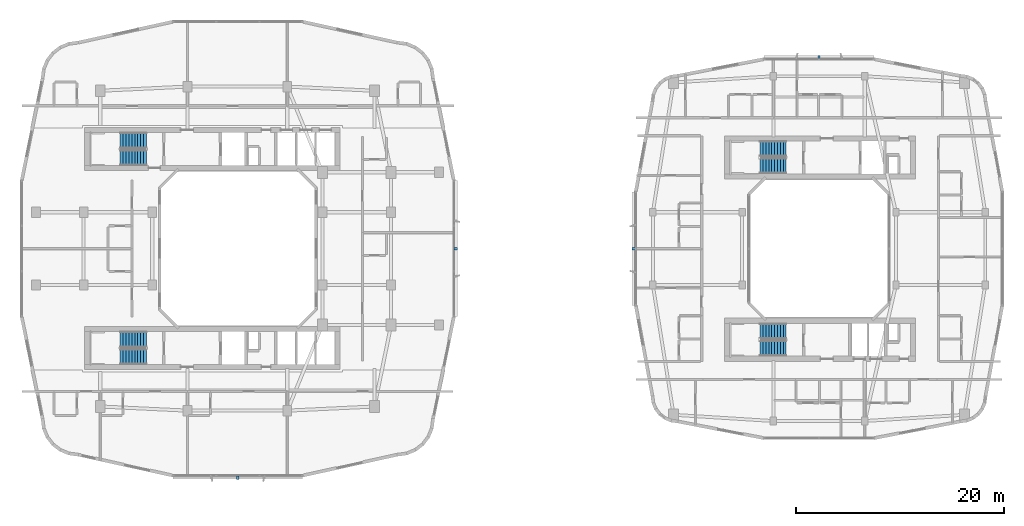
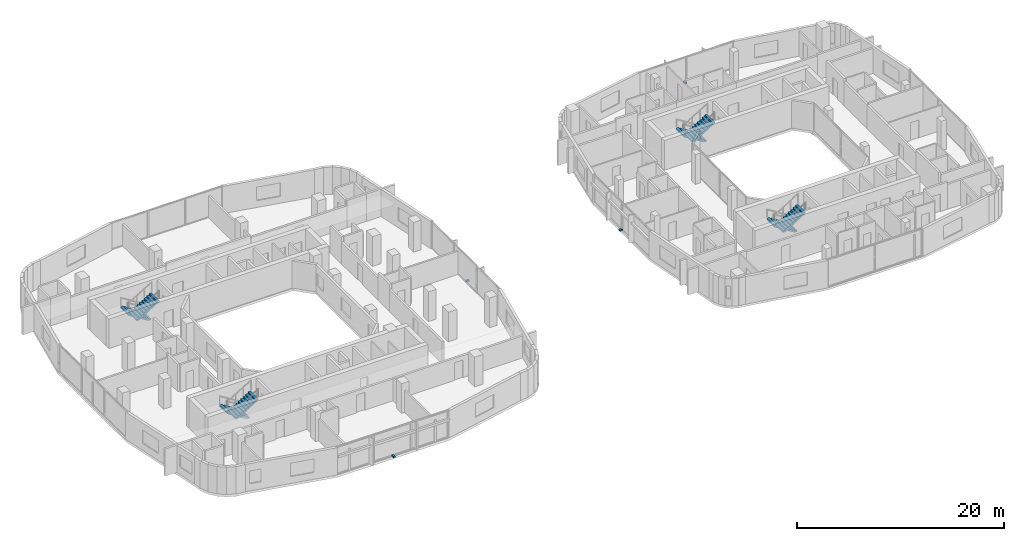
# One storey, part 20 of 25: 8 stair flights, 4 discrete accessories, 4 elements without a shape of their own.
"""IFC4 building model written with IfcOpenShell, lengths in metres."""

import ifcopenshell
import ifcopenshell.guid

model = None  # the IFC model being written
_history = None  # IfcOwnerHistory: only IFC2X3 demands one
_inside = {}  # id of a spatial element -> (the spatial element, [elements in it])
_under = {}  # id of a project, library or spatial element -> (it, [spatial elements below it])
_declared = {}  # id of a project -> (the project, [libraries it declares])
_typed = {}  # id of a type object -> (the type object, [elements of that type])
_made_of = {}  # id of a material, layer set ... -> (it, [elements and type objects made of it])


def new_model(schema):
    """Start an empty IFC model of exactly this schema.

    Asked for "IFC4X3", IfcOpenShell would pick the latest addendum, in which some entities
    have other attributes; the version numbers below select the first issue.
    IFC2X3 requires an IfcOwnerHistory on every rooted entity: one is made here for all.
    """
    global model, _history
    if schema == "IFC4X3":
        model = ifcopenshell.file(schema_version=(4, 3, 0, 0))
    else:
        model = ifcopenshell.file(schema=schema)
    _inside.clear()
    _under.clear()
    _declared.clear()
    _typed.clear()
    _made_of.clear()
    _history = None
    if model.schema == "IFC2X3":
        org = make("IfcOrganization", Name="unknown")
        user = make(
            "IfcPersonAndOrganization",
            ThePerson=make("IfcPerson", FamilyName="unknown"),
            TheOrganization=org,
        )
        app = make(
            "IfcApplication",
            ApplicationDeveloper=org,
            Version="unknown",
            ApplicationFullName="unknown",
            ApplicationIdentifier="unknown",
        )
        _history = make(
            "IfcOwnerHistory",
            OwningUser=user,
            OwningApplication=app,
            ChangeAction="ADDED",
            CreationDate=0,
        )
    return model


def make(cls, **values):
    """One entity of the class cls with the attributes given. An attribute that is None is left unset."""
    return model.create_entity(
        cls, **{name: value for name, value in values.items() if value is not None}
    )


def rooted(cls, **values):
    """An entity with a GlobalId (a new one), such as an element, a storey or a relation."""
    return make(cls, GlobalId=ifcopenshell.guid.new(), OwnerHistory=_history, **values)


def si_unit(unit_type, name, prefix=None):
    """IfcSIUnit, for example si_unit("LENGTHUNIT", "METRE", prefix="MILLI")."""
    return make("IfcSIUnit", UnitType=unit_type, Prefix=prefix, Name=name)


def derived_unit(unit_type, elements):
    """IfcDerivedUnit: a product of units, each with its exponent."""
    return make(
        "IfcDerivedUnit",
        Elements=[
            make("IfcDerivedUnitElement", Unit=unit, Exponent=power)
            for unit, power in elements
        ],
        UnitType=unit_type,
    )


def assignment(units):
    """IfcUnitAssignment: the units of a project."""
    return None if units is None else make("IfcUnitAssignment", Units=units)


def point(xyz):
    """IfcCartesianPoint."""
    return None if xyz is None else make("IfcCartesianPoint", Coordinates=xyz)


def direction(xyz):
    """IfcDirection."""
    return None if xyz is None else make("IfcDirection", DirectionRatios=xyz)


def frame(location, z_axis=None, x_axis=None):
    """IfcAxis2Placement3D, a coordinate frame: its origin and axes. An axis left out is left unset."""
    return make(
        "IfcAxis2Placement3D",
        Location=point(location),
        Axis=direction(z_axis),
        RefDirection=direction(x_axis),
    )


def frame_2d(location, x_axis=None):
    """IfcAxis2Placement2D, a coordinate frame in the plane: its origin and x axis."""
    return make(
        "IfcAxis2Placement2D", Location=point(location), RefDirection=direction(x_axis)
    )


def origin():
    """The frame at (0, 0, 0) with its axes left unset."""
    return frame((0.0, 0.0, 0.0))


def origin_2d():
    """The frame at (0, 0) in the plane with its x axis left unset."""
    return frame_2d((0.0, 0.0))


def place(relative_to, where):
    """IfcLocalPlacement: puts the frame where relative to a parent placement (None: the world)."""
    return make(
        "IfcLocalPlacement", PlacementRelTo=relative_to, RelativePlacement=where
    )


def context(
    kind, dimensions, precision=None, world=None, true_north=None, identifier=None
):
    """IfcGeometricRepresentationContext, for example the 3D "Model" context."""
    return make(
        "IfcGeometricRepresentationContext",
        ContextIdentifier=identifier,
        ContextType=kind,
        CoordinateSpaceDimension=dimensions,
        Precision=precision,
        WorldCoordinateSystem=world,
        TrueNorth=true_north,
    )


def subcontext(parent, identifier, kind, view, scale=None):
    """IfcGeometricRepresentationSubContext, for example "Body" below "Model"."""
    return make(
        "IfcGeometricRepresentationSubContext",
        ContextIdentifier=identifier,
        ContextType=kind,
        ParentContext=parent,
        TargetScale=scale,
        TargetView=view,
    )


def project(units=None, contexts=None):
    """IfcProject with its units and contexts."""
    return rooted(
        "IfcProject",
        Name="project",
        RepresentationContexts=contexts,
        UnitsInContext=assignment(units),
    )


def spatial(cls, under=None, at=None, **own):
    """A site, building, storey or space (cls), placed at a placement, below another one or the project."""
    s = rooted(cls, ObjectPlacement=at, **own)
    if under is not None:
        _under.setdefault(under.id(), (under, []))[1].append(s)
    return s


def polyline(points):
    """IfcPolyline through the points."""
    return make("IfcPolyline", Points=[point(p) for p in points])


def profile(cls, at=None, kind="AREA", **sizes):
    """A parametric profile (cls). Its sizes go by their IFC names, for example OverallWidth=200.0."""
    return make(cls, ProfileType=kind, Position=at, **sizes)


def rectangle(**sizes):
    """IfcRectangleProfileDef."""
    return profile("IfcRectangleProfileDef", **sizes)


def outline(outer, holes=None, kind="AREA"):
    """IfcArbitraryClosedProfileDef: a profile drawn as a closed curve; with holes, ...WithVoids."""
    if holes is None:
        return make("IfcArbitraryClosedProfileDef", ProfileType=kind, OuterCurve=outer)
    return make(
        "IfcArbitraryProfileDefWithVoids",
        ProfileType=kind,
        OuterCurve=outer,
        InnerCurves=holes,
    )


def extrude(swept, where, along, depth):
    """IfcExtrudedAreaSolid: the profile swept, set in the frame where, extruded along a direction by depth."""
    return make(
        "IfcExtrudedAreaSolid",
        SweptArea=swept,
        Position=where,
        ExtrudedDirection=direction(along),
        Depth=depth,
    )


def shape(context_of_items, identifier, shape_type, items):
    """IfcShapeRepresentation: the items that make up one representation, for example the "Body"."""
    return make(
        "IfcShapeRepresentation",
        ContextOfItems=context_of_items,
        RepresentationIdentifier=identifier,
        RepresentationType=shape_type,
        Items=items,
    )


def material(Name=None, Category=None):
    """IfcMaterial."""
    return make("IfcMaterial", Name=Name, Category=Category)


def made_of(thing, what):
    """Note that an element or type object is made of a material, layer set ...; save() writes the relation."""
    if what is not None:
        _made_of.setdefault(what.id(), (what, []))[1].append(thing)
    return thing


def type_object(cls, material=None, **own):
    """A type object (cls), such as IfcWallType, which elements share."""
    return made_of(rooted(cls, **own), material)


def element(
    cls,
    number,
    at=None,
    inside=None,
    cuts=None,
    type_object=None,
    material=None,
    context=None,
    identifier="Body",
    shape_type=None,
    held_by="IfcProductDefinitionShape",
    body=None,
    shapes=None,
    **own,
):
    """One element of the class cls, such as IfcWall. Its Tag is "e" and its number.

    at: its placement. inside: the storey or other place that contains it. cuts: it is an
    opening in that element (IfcRelVoidsElement). A single representation is given by context,
    identifier, shape_type and body (its items); several are given by shapes. held_by: the class
    of the entity that holds the representations. save() writes the other relations.
    """
    e = rooted(cls, Tag="e%d" % number, ObjectPlacement=at, **own)
    if body is not None:
        shapes = [shape(context, identifier, shape_type, body)]
    if shapes is not None:
        e.Representation = make(held_by, Representations=shapes)
    if inside is not None:
        _inside.setdefault(inside.id(), (inside, []))[1].append(e)
    if cuts is not None:
        rooted(
            "IfcRelVoidsElement", RelatingBuildingElement=cuts, RelatedOpeningElement=e
        )
    if type_object is not None:
        _typed.setdefault(type_object.id(), (type_object, []))[1].append(e)
    return made_of(e, material)


def aggregate(whole, parts):
    """IfcRelAggregates: a whole, such as a stair, and the parts it consists of."""
    return rooted("IfcRelAggregates", RelatingObject=whole, RelatedObjects=parts)


def save(model, path):
    """Write the relations noted so far, then the file.

    IfcRelAggregates (storeys below a building ...), IfcRelContainedInSpatialStructure (elements
    in a storey), IfcRelDefinesByType, IfcRelAssociatesMaterial and IfcRelDeclares: one each for
    every whole, place, type object, material and project.
    """
    for whole, parts in _under.values():
        aggregate(whole, parts)
    for where, things in _inside.values():
        rooted(
            "IfcRelContainedInSpatialStructure",
            RelatedElements=things,
            RelatingStructure=where,
        )
    for kind, things in _typed.values():
        rooted("IfcRelDefinesByType", RelatedObjects=things, RelatingType=kind)
    for what, things in _made_of.values():
        rooted("IfcRelAssociatesMaterial", RelatedObjects=things, RelatingMaterial=what)
    for by, libraries in _declared.values():
        rooted("IfcRelDeclares", RelatingContext=by, RelatedDefinitions=libraries)
    model.write(path)


model = new_model("IFC4")

# Units and contexts
model_context = context("Model", 3, precision=1e-05, world=origin(), true_north=direction((0.0, 1.0)))
body_context = subcontext(model_context, "Body", "Model", "MODEL_VIEW")
ifc_project = project(units=[si_unit("LENGTHUNIT", "METRE"), si_unit("AREAUNIT", "SQUARE_METRE"), si_unit("VOLUMEUNIT", "CUBIC_METRE"), si_unit("PLANEANGLEUNIT", "RADIAN"), si_unit("MASSUNIT", "GRAM", prefix="KILO"), derived_unit("THERMALTRANSMITTANCEUNIT", [(si_unit("POWERUNIT", "WATT"), 1), (si_unit("LENGTHUNIT", "METRE"), -2), (si_unit("THERMODYNAMICTEMPERATUREUNIT", "KELVIN"), -1)])], contexts=[model_context])

# Site, building, storey
site_placement = place(None, origin())
site = spatial("IfcSite", under=ifc_project, at=site_placement, CompositionType="ELEMENT")
building_placement = place(site_placement, origin())
building = spatial("IfcBuilding", under=site, at=building_placement, Name="Kivonza Crest Hotel", CompositionType="ELEMENT")
storey_placement = place(building_placement, frame((0.0, 0.0, 83.5)))
storey = spatial("IfcBuildingStorey", under=building, at=storey_placement, Name="L22", CompositionType="ELEMENT", Elevation=83.5)

# Stair, stair flights
ifc_material_1 = material(Name="Concrete C40/50", Category="concrete")
stair_type = type_object("IfcStairType", Name="ST-DL-20R", PredefinedType="HALF_TURN_STAIR", material=ifc_material_1)
stair_1_placement = place(storey_placement, origin())
stair_1 = element("IfcStair", 1, at=stair_1_placement, inside=storey, type_object=stair_type, Name="L22 Protected Exit Stair ST-T1-N", PredefinedType="HALF_TURN_STAIR")
stair_flight_type = type_object("IfcStairFlightType", Name="SFL-RC-10R", PredefinedType="STRAIGHT", material=ifc_material_1)
stair_flight_1_placement = place(storey_placement, frame((12.239990234375, 35.409912109375, 0.0), z_axis=(0.0, 0.0, 1.0), x_axis=(-1.0, 0.0, 0.0)))
stair_flight_1 = element("IfcStairFlight", 2, at=stair_flight_1_placement, type_object=stair_flight_type, Name="ST-T1-N flight 1", NumberOfRisers=10, NumberOfTreads=9, PredefinedType="STRAIGHT", RiserHeight=0.175, TreadLength=0.28, context=body_context, shape_type="SweptSolid", body=[
    extrude(outline(polyline([(0.0, 0.0), (0.0, 0.175048828125), (0.280029296875, 0.175048828125), (0.280029296875, 0.35009765625), (0.56005859375, 0.35009765625), (0.56005859375, 0.52490234375), (0.840087890625, 0.52490234375), (0.840087890625, 0.699951171875), (1.1201171875, 0.699951171875), (1.1201171875, 0.875), (1.39990234375, 0.875), (1.39990234375, 1.050048828125), (1.679931640625, 1.050048828125), (1.679931640625, 1.22509765625), (1.9599609375, 1.22509765625), (1.9599609375, 1.39990234375), (2.239990234375, 1.39990234375), (2.239990234375, 1.574951171875), (2.52001953125, 1.574951171875), (2.52001953125, 1.75), (2.52001953125, 1.398193359375), (0.28271484375, 0.0), (0.0, 0.0)])), frame((0.0, 0.75, 0.0), z_axis=(0.0, -1.0, 0.0), x_axis=(1.0, 0.0, 0.0)), (0.0, 0.0, 1.0), 1.5),
])
stair_flight_2_placement = place(storey_placement, frame((9.719970703125, 33.77001953125, 1.75), z_axis=(0.0, 0.0, 1.0), x_axis=(1.0, 0.0, 0.0)))
stair_flight_2 = element("IfcStairFlight", 3, at=stair_flight_2_placement, type_object=stair_flight_type, Name="ST-T1-N flight 2", NumberOfRisers=10, NumberOfTreads=9, PredefinedType="STRAIGHT", RiserHeight=0.175, TreadLength=0.28, context=body_context, shape_type="SweptSolid", body=[
    extrude(outline(polyline([(0.0, 0.0), (0.0, 0.175048828125), (0.280029296875, 0.175048828125), (0.280029296875, 0.35009765625), (0.56005859375, 0.35009765625), (0.56005859375, 0.52490234375), (0.840087890625, 0.52490234375), (0.840087890625, 0.699951171875), (1.1201171875, 0.699951171875), (1.1201171875, 0.875), (1.39990234375, 0.875), (1.39990234375, 1.050048828125), (1.679931640625, 1.050048828125), (1.679931640625, 1.22509765625), (1.9599609375, 1.22509765625), (1.9599609375, 1.39990234375), (2.239990234375, 1.39990234375), (2.239990234375, 1.574951171875), (2.52001953125, 1.574951171875), (2.52001953125, 1.75), (2.52001953125, 1.398193359375), (0.28271484375, 0.0), (0.0, 0.0)])), frame((0.0, 0.75, 0.0), z_axis=(0.0, -1.0, 0.0), x_axis=(1.0, 0.0, 0.0)), (0.0, 0.0, 1.0), 1.5),
])
aggregate(stair_1, [stair_flight_1, stair_flight_2])

stair_2_placement = place(storey_placement, origin())
stair_2 = element("IfcStair", 4, at=stair_2_placement, inside=storey, type_object=stair_type, Name="L22 Protected Exit Stair ST-T1-S", PredefinedType="HALF_TURN_STAIR")
stair_flight_3_placement = place(storey_placement, frame((12.239990234375, 16.25, 0.0), z_axis=(0.0, 0.0, 1.0), x_axis=(-1.0, 0.0, 0.0)))
stair_flight_3 = element("IfcStairFlight", 5, at=stair_flight_3_placement, type_object=stair_flight_type, Name="ST-T1-S flight 1", NumberOfRisers=10, NumberOfTreads=9, PredefinedType="STRAIGHT", RiserHeight=0.175, TreadLength=0.28, context=body_context, shape_type="SweptSolid", body=[
    extrude(outline(polyline([(0.0, 0.0), (0.0, 0.175048828125), (0.280029296875, 0.175048828125), (0.280029296875, 0.35009765625), (0.56005859375, 0.35009765625), (0.56005859375, 0.52490234375), (0.840087890625, 0.52490234375), (0.840087890625, 0.699951171875), (1.1201171875, 0.699951171875), (1.1201171875, 0.875), (1.39990234375, 0.875), (1.39990234375, 1.050048828125), (1.679931640625, 1.050048828125), (1.679931640625, 1.22509765625), (1.9599609375, 1.22509765625), (1.9599609375, 1.39990234375), (2.239990234375, 1.39990234375), (2.239990234375, 1.574951171875), (2.52001953125, 1.574951171875), (2.52001953125, 1.75), (2.52001953125, 1.398193359375), (0.28271484375, 0.0), (0.0, 0.0)])), frame((0.0, 0.75, 0.0), z_axis=(0.0, -1.0, 0.0), x_axis=(1.0, 0.0, 0.0)), (0.0, 0.0, 1.0), 1.5),
])
stair_flight_4_placement = place(storey_placement, frame((9.719970703125, 14.610107421875, 1.75), z_axis=(0.0, 0.0, 1.0), x_axis=(1.0, 0.0, 0.0)))
stair_flight_4 = element("IfcStairFlight", 6, at=stair_flight_4_placement, type_object=stair_flight_type, Name="ST-T1-S flight 2", NumberOfRisers=10, NumberOfTreads=9, PredefinedType="STRAIGHT", RiserHeight=0.175, TreadLength=0.28, context=body_context, shape_type="SweptSolid", body=[
    extrude(outline(polyline([(0.0, 0.0), (0.0, 0.175048828125), (0.280029296875, 0.175048828125), (0.280029296875, 0.35009765625), (0.56005859375, 0.35009765625), (0.56005859375, 0.52490234375), (0.840087890625, 0.52490234375), (0.840087890625, 0.699951171875), (1.1201171875, 0.699951171875), (1.1201171875, 0.875), (1.39990234375, 0.875), (1.39990234375, 1.050048828125), (1.679931640625, 1.050048828125), (1.679931640625, 1.22509765625), (1.9599609375, 1.22509765625), (1.9599609375, 1.39990234375), (2.239990234375, 1.39990234375), (2.239990234375, 1.574951171875), (2.52001953125, 1.574951171875), (2.52001953125, 1.75), (2.52001953125, 1.398193359375), (0.28271484375, 0.0), (0.0, 0.0)])), frame((0.0, 0.75, 0.0), z_axis=(0.0, -1.0, 0.0), x_axis=(1.0, 0.0, 0.0)), (0.0, 0.0, 1.0), 1.5),
])
aggregate(stair_2, [stair_flight_3, stair_flight_4])

stair_3_placement = place(storey_placement, origin())
stair_3 = element("IfcStair", 7, at=stair_3_placement, inside=storey, type_object=stair_type, Name="L22 Protected Exit Stair ST-T2-N", PredefinedType="HALF_TURN_STAIR")
stair_flight_5_placement = place(storey_placement, frame((73.840087890625, 34.610107421875, 0.0), z_axis=(0.0, 0.0, 1.0), x_axis=(-1.0, 0.0, 0.0)))
stair_flight_5 = element("IfcStairFlight", 8, at=stair_flight_5_placement, type_object=stair_flight_type, Name="ST-T2-N flight 1", NumberOfRisers=10, NumberOfTreads=9, PredefinedType="STRAIGHT", RiserHeight=0.175, TreadLength=0.28, context=body_context, shape_type="SweptSolid", body=[
    extrude(outline(polyline([(0.0, 0.0), (0.0, 0.175048828125), (0.280029296875, 0.175048828125), (0.280029296875, 0.35009765625), (0.56005859375, 0.35009765625), (0.56005859375, 0.52490234375), (0.840087890625, 0.52490234375), (0.840087890625, 0.699951171875), (1.1201171875, 0.699951171875), (1.1201171875, 0.875), (1.39990234375, 0.875), (1.39990234375, 1.050048828125), (1.679931640625, 1.050048828125), (1.679931640625, 1.22509765625), (1.9599609375, 1.22509765625), (1.9599609375, 1.39990234375), (2.239990234375, 1.39990234375), (2.239990234375, 1.574951171875), (2.52001953125, 1.574951171875), (2.52001953125, 1.75), (2.52001953125, 1.398193359375), (0.28271484375, 0.0), (0.0, 0.0)])), frame((0.0, 0.75, 0.0), z_axis=(0.0, -1.0, 0.0), x_axis=(1.0, 0.0, 0.0)), (0.0, 0.0, 1.0), 1.5),
])
stair_flight_6_placement = place(storey_placement, frame((71.320068359375, 32.969970703125, 1.75), z_axis=(0.0, 0.0, 1.0), x_axis=(1.0, 0.0, 0.0)))
stair_flight_6 = element("IfcStairFlight", 9, at=stair_flight_6_placement, type_object=stair_flight_type, Name="ST-T2-N flight 2", NumberOfRisers=10, NumberOfTreads=9, PredefinedType="STRAIGHT", RiserHeight=0.175, TreadLength=0.28, context=body_context, shape_type="SweptSolid", body=[
    extrude(outline(polyline([(0.0, 0.0), (0.0, 0.175048828125), (0.280029296875, 0.175048828125), (0.280029296875, 0.35009765625), (0.56005859375, 0.35009765625), (0.56005859375, 0.52490234375), (0.840087890625, 0.52490234375), (0.840087890625, 0.699951171875), (1.1201171875, 0.699951171875), (1.1201171875, 0.875), (1.39990234375, 0.875), (1.39990234375, 1.050048828125), (1.679931640625, 1.050048828125), (1.679931640625, 1.22509765625), (1.9599609375, 1.22509765625), (1.9599609375, 1.39990234375), (2.239990234375, 1.39990234375), (2.239990234375, 1.574951171875), (2.52001953125, 1.574951171875), (2.52001953125, 1.75), (2.52001953125, 1.398193359375), (0.28271484375, 0.0), (0.0, 0.0)])), frame((0.0, 0.75, 0.0), z_axis=(0.0, -1.0, 0.0), x_axis=(1.0, 0.0, 0.0)), (0.0, 0.0, 1.0), 1.5),
])
aggregate(stair_3, [stair_flight_5, stair_flight_6])

stair_4_placement = place(storey_placement, origin())
stair_4 = element("IfcStair", 10, at=stair_4_placement, inside=storey, type_object=stair_type, Name="L22 Protected Exit Stair ST-T2-S", PredefinedType="HALF_TURN_STAIR")
stair_flight_7_placement = place(storey_placement, frame((73.840087890625, 17.050048828125, 0.0), z_axis=(0.0, 0.0, 1.0), x_axis=(-1.0, 0.0, 0.0)))
stair_flight_7 = element("IfcStairFlight", 11, at=stair_flight_7_placement, type_object=stair_flight_type, Name="ST-T2-S flight 1", NumberOfRisers=10, NumberOfTreads=9, PredefinedType="STRAIGHT", RiserHeight=0.175, TreadLength=0.28, context=body_context, shape_type="SweptSolid", body=[
    extrude(outline(polyline([(0.0, 0.0), (0.0, 0.175048828125), (0.280029296875, 0.175048828125), (0.280029296875, 0.35009765625), (0.56005859375, 0.35009765625), (0.56005859375, 0.52490234375), (0.840087890625, 0.52490234375), (0.840087890625, 0.699951171875), (1.1201171875, 0.699951171875), (1.1201171875, 0.875), (1.39990234375, 0.875), (1.39990234375, 1.050048828125), (1.679931640625, 1.050048828125), (1.679931640625, 1.22509765625), (1.9599609375, 1.22509765625), (1.9599609375, 1.39990234375), (2.239990234375, 1.39990234375), (2.239990234375, 1.574951171875), (2.52001953125, 1.574951171875), (2.52001953125, 1.75), (2.52001953125, 1.398193359375), (0.28271484375, 0.0), (0.0, 0.0)])), frame((0.0, 0.75, 0.0), z_axis=(0.0, -1.0, 0.0), x_axis=(1.0, 0.0, 0.0)), (0.0, 0.0, 1.0), 1.5),
])
stair_flight_8_placement = place(storey_placement, frame((71.320068359375, 15.409912109375, 1.75), z_axis=(0.0, 0.0, 1.0), x_axis=(1.0, 0.0, 0.0)))
stair_flight_8 = element("IfcStairFlight", 12, at=stair_flight_8_placement, type_object=stair_flight_type, Name="ST-T2-S flight 2", NumberOfRisers=10, NumberOfTreads=9, PredefinedType="STRAIGHT", RiserHeight=0.175, TreadLength=0.28, context=body_context, shape_type="SweptSolid", body=[
    extrude(outline(polyline([(0.0, 0.0), (0.0, 0.175048828125), (0.280029296875, 0.175048828125), (0.280029296875, 0.35009765625), (0.56005859375, 0.35009765625), (0.56005859375, 0.52490234375), (0.840087890625, 0.52490234375), (0.840087890625, 0.699951171875), (1.1201171875, 0.699951171875), (1.1201171875, 0.875), (1.39990234375, 0.875), (1.39990234375, 1.050048828125), (1.679931640625, 1.050048828125), (1.679931640625, 1.22509765625), (1.9599609375, 1.22509765625), (1.9599609375, 1.39990234375), (2.239990234375, 1.39990234375), (2.239990234375, 1.574951171875), (2.52001953125, 1.574951171875), (2.52001953125, 1.75), (2.52001953125, 1.398193359375), (0.28271484375, 0.0), (0.0, 0.0)])), frame((0.0, 0.75, 0.0), z_axis=(0.0, -1.0, 0.0), x_axis=(1.0, 0.0, 0.0)), (0.0, 0.0, 1.0), 1.5),
])
aggregate(stair_4, [stair_flight_7, stair_flight_8])

# Discrete accessories
ifc_material_2 = material(Name="Stainless steel 316", Category="steel")
discrete_accessory_type = type_object("IfcDiscreteAccessoryType", Name="AC-BRACKET-240", PredefinedType="BRACKET", material=ifc_material_2)
for number, where, z_axis, x_axis, name in (
    (13, (21.0400390625, 2.9599609375, -0.009765625), (0.0, 0.0, 1.0), (1.0, 0.0, 0.0), "L22 terracotta baguette support bracket CW-T1-L22-08"),
    (14, (42.0400390625, 25.0, -0.009765625), (0.0, 0.0, 1.0), (0.0, 1.0, 0.0), "L22 terracotta baguette support bracket CW-T1-L22-17"),
    (15, (77.0, 43.43994140625, -0.009765625), (0.0, 0.0, 1.0), (-1.0, 0.0, 0.0), "L22 terracotta baguette support bracket CW-T2-L22-26"),
    (16, (59.159912109375, 25.0, -0.009765625), (0.0, 0.0, 1.0), (0.0, -1.0, 0.0), "L22 terracotta baguette support bracket CW-T2-L22-35"),
):
    element("IfcDiscreteAccessory", number, at=place(storey_placement, frame(where, z_axis=z_axis, x_axis=x_axis)), inside=storey, type_object=discrete_accessory_type, Name=name, PredefinedType="BRACKET", context=body_context, shape_type="SweptSolid", body=[
        extrude(rectangle(XDim=0.219970703125, YDim=0.340087890625, at=origin_2d()), origin(), (0.0, 0.0, 1.0), 0.179931640625),
    ])

save(model, "model.ifc")
